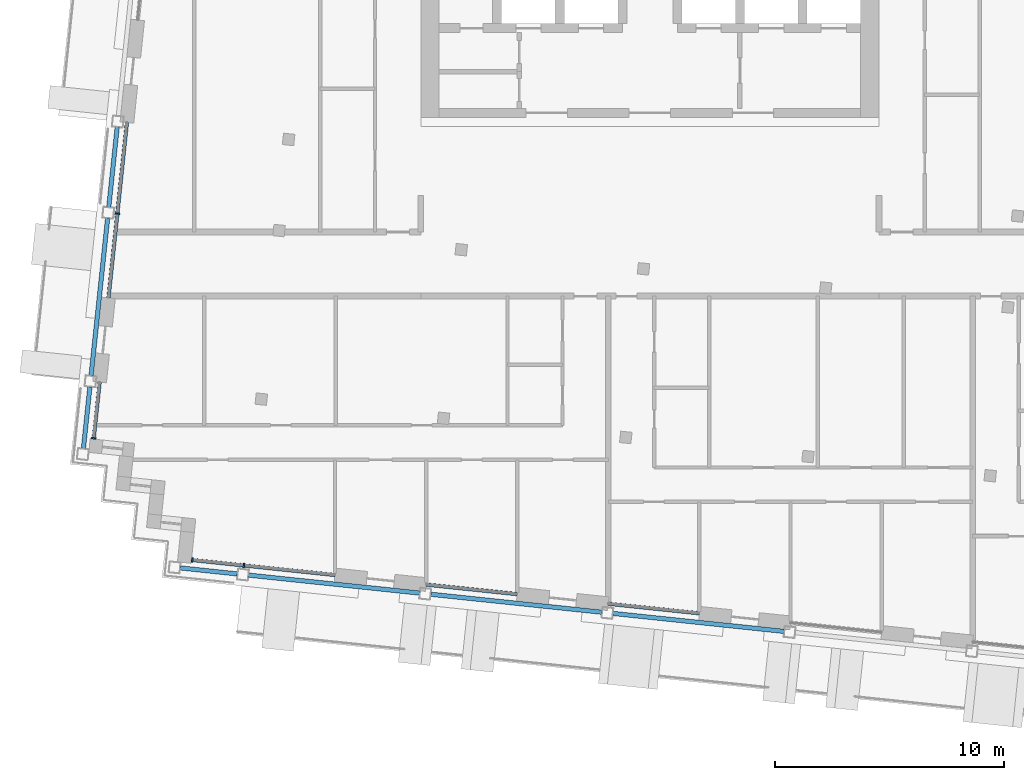
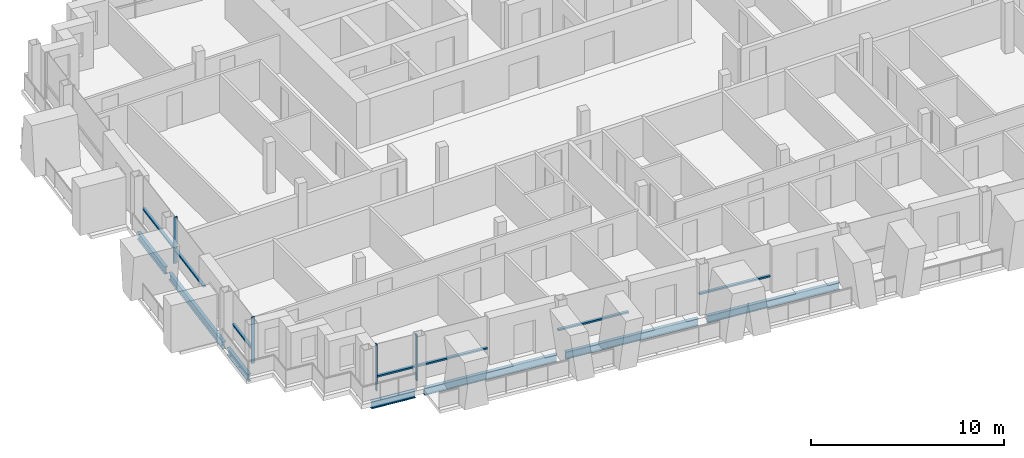
# One storey, part 2 of 17: 11 members, 7 beams, 5 elements without a shape of their own.
"""IFC4 building model written with IfcOpenShell, lengths in metres."""

from ifc_helpers import new_model, si_unit, direction, frame, origin, origin_2d, place, context, subcontext, project, spatial, rectangle, i_section, extrude, material, material_profile, profile_set, type_object, element, aggregate, save


model = new_model("IFC4")

# Units and contexts
model_context = context("Model", 3, precision=1e-05, world=origin(), true_north=direction((0.0, 1.0)))
body_context = subcontext(model_context, "Body", "Model", "MODEL_VIEW")
ifc_project = project(units=[si_unit("LENGTHUNIT", "METRE"), si_unit("AREAUNIT", "SQUARE_METRE"), si_unit("VOLUMEUNIT", "CUBIC_METRE"), si_unit("PLANEANGLEUNIT", "RADIAN"), si_unit("MASSUNIT", "GRAM", prefix="KILO")], contexts=[model_context])

# Site, building, storey
site_placement = place(None, origin())
site = spatial("IfcSite", under=ifc_project, at=site_placement, CompositionType="ELEMENT")
building_placement = place(site_placement, origin())
building = spatial("IfcBuilding", under=site, at=building_placement, Name="Vidyagriha Tower", CompositionType="ELEMENT")
storey_placement = place(building_placement, frame((0.0, 0.0, 262.699951171875)))
storey = spatial("IfcBuildingStorey", under=building, at=storey_placement, Name="L68", CompositionType="ELEMENT", Elevation=262.699951171875)

# Beams
ifc_material_1 = material(Name="Steel ASTM A992 Grade 50", Category="steel")
ifc_material_profile_1 = material_profile(ifc_material_1, i_section(OverallWidth=0.19189453125, OverallDepth=0.46240234375, WebThickness=0.010498046875, FlangeThickness=0.017578125, at=origin_2d()), Name="W18X60")
ifc_profile_set_1 = profile_set([ifc_material_profile_1], Name="Steel ASTM A992 Grade 50")
beam_type = type_object("IfcBeamType", Name="Edge beam W18X60", PredefinedType="SPANDREL", material=ifc_profile_set_1)
beam_1_placement = place(storey_placement, frame((-20.50341796875, -13.268798828125, -0.510986328125), z_axis=(0.994525767953, -0.104491611519, 0.0), x_axis=(0.104491611519, 0.994525767953, 0.0)))
element("IfcBeam", 1, at=beam_1_placement, inside=storey, type_object=beam_type, Name="st-beam-L68-S01", PredefinedType="SPANDREL", context=body_context, shape_type="SweptSolid", body=[
    extrude(i_section(OverallWidth=0.19189453125, OverallDepth=0.46240234375, WebThickness=0.010498046875, FlangeThickness=0.017578125, at=origin_2d()), origin(), (0.0, 0.0, 1.0), 2.5),
])
for number, where, z_axis, x_axis, name in (
    (2, (-17.519775390625, -13.582275390625, -0.510986328125), (0.994522384662, -0.104523807841, 0.0), (0.104523807841, 0.994522384662, 0.0), "st-beam-L68-S02"),
    (3, (-9.563720703125, -14.418701171875, -0.510986328125), (0.994525767953, -0.104491611519, 0.0), (0.104491611519, 0.994525767953, 0.0), "st-beam-L68-S03"),
    (4, (-1.607421875, -15.2548828125, -0.510986328125), (0.994522384662, -0.104523807841, 0.0), (0.104523807841, 0.994522384662, 0.0), "st-beam-L68-S04"),
):
    element("IfcBeam", number, at=place(storey_placement, frame(where, z_axis=z_axis, x_axis=x_axis)), inside=storey, type_object=beam_type, Name=name, PredefinedType="SPANDREL", context=body_context, shape_type="SweptSolid", body=[
        extrude(i_section(OverallWidth=0.19189453125, OverallDepth=0.46240234375, WebThickness=0.010498046875, FlangeThickness=0.017578125, at=origin_2d()), origin(), (0.0, 0.0, 1.0), 7.5),
    ])
beam_2_placement = place(storey_placement, frame((-24.730712890625, -8.04833984375, -0.510986328125), z_axis=(0.104524753323, 0.994522285292, 0.0), x_axis=(-0.994522285292, 0.104524753323, 0.0)))
element("IfcBeam", 5, at=beam_2_placement, inside=storey, type_object=beam_type, Name="st-beam-L68-W08", PredefinedType="SPANDREL", context=body_context, shape_type="SweptSolid", body=[
    extrude(i_section(OverallWidth=0.19189453125, OverallDepth=0.46240234375, WebThickness=0.010498046875, FlangeThickness=0.017578125, at=origin_2d()), origin(), (0.0, 0.0, 1.0), 2.7001953125),
])
beam_3_placement = place(storey_placement, frame((-24.396484375, -4.86572265625, -0.510986328125), z_axis=(0.104557694553, 0.994518822602, 0.0), x_axis=(-0.994518822602, 0.104557694553, 0.0)))
element("IfcBeam", 6, at=beam_3_placement, inside=storey, type_object=beam_type, Name="st-beam-L68-W09", PredefinedType="SPANDREL", context=body_context, shape_type="SweptSolid", body=[
    extrude(i_section(OverallWidth=0.19189453125, OverallDepth=0.46240234375, WebThickness=0.010498046875, FlangeThickness=0.017578125, at=origin_2d()), origin(), (0.0, 0.0, 1.0), 6.89990234375),
])
beam_4_placement = place(storey_placement, frame((-23.622802734375, 2.49365234375, -0.510986328125), z_axis=(0.104488712073, 0.994526072584, 0.0), x_axis=(-0.994526072584, 0.104488712073, 0.0)))
element("IfcBeam", 7, at=beam_4_placement, inside=storey, type_object=beam_type, Name="st-beam-L68-W10", PredefinedType="SPANDREL", context=body_context, shape_type="SweptSolid", body=[
    extrude(i_section(OverallWidth=0.19189453125, OverallDepth=0.46240234375, WebThickness=0.010498046875, FlangeThickness=0.017578125, at=origin_2d()), origin(), (0.0, 0.0, 1.0), 3.5),
])

# Curtain wall, member
ifc_material_2 = material(Name="Aluminium and glass curtain wall", Category="aluminium")
curtain_wall_type = type_object("IfcCurtainWallType", Name="Dwelling skin unitised curtain wall", PredefinedType="USERDEFINED", material=ifc_material_2)
curtain_wall_1_placement = place(storey_placement, origin())
curtain_wall_1 = element("IfcCurtainWall", 8, at=curtain_wall_1_placement, inside=storey, type_object=curtain_wall_type, Name="CW1 dwelling skin", ObjectType="UNITISED", PredefinedType="USERDEFINED")
ifc_material_3 = material(Name="Aluminium black anodised", Category="aluminium")
ifc_material_profile_2 = material_profile(ifc_material_3, rectangle(XDim=0.199951171875, YDim=0.070068359375, at=origin_2d()), Name="Mullion 70x200 black aluminium")
ifc_profile_set_2 = profile_set([ifc_material_profile_2], Name="Aluminium black anodised")
member_type_1 = type_object("IfcMemberType", Name="Mullion 70x200 black aluminium", PredefinedType="MULLION", material=ifc_profile_set_2)
member_1_placement = place(storey_placement, frame((-23.251220703125, 2.203369140625, 0.0), z_axis=(0.0, 0.0, 1.0), x_axis=(0.994521452706, -0.10453267483, 0.0)))
member_1 = element("IfcMember", 9, at=member_1_placement, type_object=member_type_1, Name="CW1 mullion 2", PredefinedType="MULLION", context=body_context, shape_type="SweptSolid", body=[
    extrude(rectangle(XDim=0.199951171875, YDim=0.070068359375, at=origin_2d()), origin(), (0.0, 0.0, 1.0), 2.920166015625),
])

curtain_wall_2_placement = place(storey_placement, origin())
curtain_wall_2 = element("IfcCurtainWall", 10, at=curtain_wall_2_placement, inside=storey, type_object=curtain_wall_type, Name="CW1 dwelling skin", ObjectType="UNITISED", PredefinedType="USERDEFINED")
member_2_placement = place(storey_placement, frame((-24.2822265625, -7.60791015625, 0.0), z_axis=(0.0, 0.0, 1.0), x_axis=(0.994523191389, -0.10451613172, 0.0)))
member_2 = element("IfcMember", 11, at=member_2_placement, type_object=member_type_1, Name="CW1 mullion 2", PredefinedType="MULLION", context=body_context, shape_type="SweptSolid", body=[
    extrude(rectangle(XDim=0.199951171875, YDim=0.070068359375, at=origin_2d()), origin(), (0.0, 0.0, 1.0), 2.920166015625),
])

# Curtain wall, members
curtain_wall_3_placement = place(storey_placement, origin())
curtain_wall_3 = element("IfcCurtainWall", 12, at=curtain_wall_3_placement, inside=storey, type_object=curtain_wall_type, Name="CW1 dwelling skin", ObjectType="UNITISED", PredefinedType="USERDEFINED")
member_3_placement = place(storey_placement, frame((-19.979248046875, -12.921630859375, 0.0), z_axis=(0.0, 0.0, 1.0), x_axis=(0.104523661385, 0.994522400055, 0.0)))
member_3 = element("IfcMember", 13, at=member_3_placement, type_object=member_type_1, Name="CW1 mullion 1", PredefinedType="MULLION", context=body_context, shape_type="SweptSolid", body=[
    extrude(rectangle(XDim=0.199951171875, YDim=0.070068359375, at=origin_2d()), origin(), (0.0, 0.0, 1.0), 2.920166015625),
])
member_4_placement = place(storey_placement, frame((-17.7265625, -13.158447265625, 0.0), z_axis=(0.0, 0.0, 1.0), x_axis=(0.104523661385, 0.994522400055, 0.0)))
member_4 = element("IfcMember", 14, at=member_4_placement, type_object=member_type_1, Name="CW1 mullion 2", PredefinedType="MULLION", context=body_context, shape_type="SweptSolid", body=[
    extrude(rectangle(XDim=0.199951171875, YDim=0.070068359375, at=origin_2d()), origin(), (0.0, 0.0, 1.0), 2.920166015625),
])

# Member
ifc_material_4 = material(Name="Aluminium black anodised", Category="aluminium")
ifc_material_profile_3 = material_profile(ifc_material_4, rectangle(XDim=0.159912109375, YDim=0.10009765625, at=origin_2d()), Name="Transom 100x160 black aluminium")
ifc_profile_set_3 = profile_set([ifc_material_profile_3], Name="Aluminium black anodised")
member_type_2 = type_object("IfcMemberType", Name="Transom 100x160 black aluminium", PredefinedType="USERDEFINED", material=ifc_profile_set_3)
member_5_placement = place(storey_placement, frame((-22.8330078125, 6.181396484375, 0.900146484375), z_axis=(-0.104550167438, -0.994519613929, 0.0), x_axis=(0.994519613929, -0.104550167438, 0.0)))
member_5 = element("IfcMember", 15, at=member_5_placement, type_object=member_type_2, Name="CW1 transom 1.1", ObjectType="TRANSOM", PredefinedType="USERDEFINED", context=body_context, shape_type="SweptSolid", body=[
    extrude(rectangle(XDim=0.159912109375, YDim=0.10009765625, at=origin_2d()), origin(), (0.0, 0.0, 1.0), 3.965087890625),
])

member_6_placement = place(storey_placement, frame((-23.2548828125, 2.16845703125, 0.900146484375), z_axis=(-0.104521800028, -0.99452259568, 0.0), x_axis=(0.99452259568, -0.104521800028, 0.0)))
member_6 = element("IfcMember", 16, at=member_6_placement, type_object=member_type_2, Name="CW1 transom 2.1", ObjectType="TRANSOM", PredefinedType="USERDEFINED", context=body_context, shape_type="SweptSolid", body=[
    extrude(rectangle(XDim=0.159912109375, YDim=0.10009765625, at=origin_2d()), origin(), (0.0, 0.0, 1.0), 3.664794921875),
])

aggregate(curtain_wall_1, [member_1, member_5, member_6])

member_7_placement = place(storey_placement, frame((-24.024658203125, -5.15625, 0.900146484375), z_axis=(-0.104486049741, -0.994526352295, 0.0), x_axis=(0.994526352295, -0.104486049741, 0.0)))
member_7 = element("IfcMember", 17, at=member_7_placement, type_object=member_type_2, Name="CW1 transom 1.1", ObjectType="TRANSOM", PredefinedType="USERDEFINED", context=body_context, shape_type="SweptSolid", body=[
    extrude(rectangle(XDim=0.159912109375, YDim=0.10009765625, at=origin_2d()), origin(), (0.0, 0.0, 1.0), 2.429931640625),
])

aggregate(curtain_wall_2, [member_2, member_7])

member_8_placement = place(storey_placement, frame((-19.9443359375, -12.92529296875, 0.900146484375), z_axis=(0.994518853465, -0.104557400991, 0.0), x_axis=(0.104557400991, 0.994518853465, 0.0)))
member_8 = element("IfcMember", 18, at=member_8_placement, type_object=member_type_2, Name="CW1 transom 1.1", ObjectType="TRANSOM", PredefinedType="USERDEFINED", context=body_context, shape_type="SweptSolid", body=[
    extrude(rectangle(XDim=0.159912109375, YDim=0.10009765625, at=origin_2d()), origin(), (0.0, 0.0, 1.0), 2.19482421875),
])

member_9_placement = place(storey_placement, frame((-17.69189453125, -13.162109375, 0.900146484375), z_axis=(0.994526014245, -0.104489267346, 0.0), x_axis=(0.104489267346, 0.994526014245, 0.0)))
member_9 = element("IfcMember", 19, at=member_9_placement, type_object=member_type_2, Name="CW1 transom 2.1", ObjectType="TRANSOM", PredefinedType="USERDEFINED", context=body_context, shape_type="SweptSolid", body=[
    extrude(rectangle(XDim=0.159912109375, YDim=0.10009765625, at=origin_2d()), origin(), (0.0, 0.0, 1.0), 3.965087890625),
])

aggregate(curtain_wall_3, [member_3, member_4, member_8, member_9])

# Curtain wall, member
curtain_wall_4_placement = place(storey_placement, origin())
curtain_wall_4 = element("IfcCurtainWall", 20, at=curtain_wall_4_placement, inside=storey, type_object=curtain_wall_type, Name="CW1 dwelling skin", ObjectType="UNITISED", PredefinedType="USERDEFINED")
member_10_placement = place(storey_placement, frame((-9.7705078125, -13.99462890625, 0.900146484375), z_axis=(0.99451982373, -0.104548171712, 0.0), x_axis=(0.104548171712, 0.99451982373, 0.0)))
member_10 = element("IfcMember", 21, at=member_10_placement, type_object=member_type_2, Name="CW1 transom 1.1", ObjectType="TRANSOM", PredefinedType="USERDEFINED", context=body_context, shape_type="SweptSolid", body=[
    extrude(rectangle(XDim=0.159912109375, YDim=0.10009765625, at=origin_2d()), origin(), (0.0, 0.0, 1.0), 4.000244140625),
])
aggregate(curtain_wall_4, [member_10])

curtain_wall_5_placement = place(storey_placement, origin())
curtain_wall_5 = element("IfcCurtainWall", 22, at=curtain_wall_5_placement, inside=storey, type_object=curtain_wall_type, Name="CW1 dwelling skin", ObjectType="UNITISED", PredefinedType="USERDEFINED")
member_11_placement = place(storey_placement, frame((-1.814208984375, -14.830810546875, 0.900146484375), z_axis=(0.994519156568, -0.104554517933, 0.0), x_axis=(0.104554517933, 0.994519156568, 0.0)))
member_11 = element("IfcMember", 23, at=member_11_placement, type_object=member_type_2, Name="CW1 transom 1.1", ObjectType="TRANSOM", PredefinedType="USERDEFINED", context=body_context, shape_type="SweptSolid", body=[
    extrude(rectangle(XDim=0.159912109375, YDim=0.10009765625, at=origin_2d()), origin(), (0.0, 0.0, 1.0), 4.0),
])
aggregate(curtain_wall_5, [member_11])

save(model, "model.ifc")
